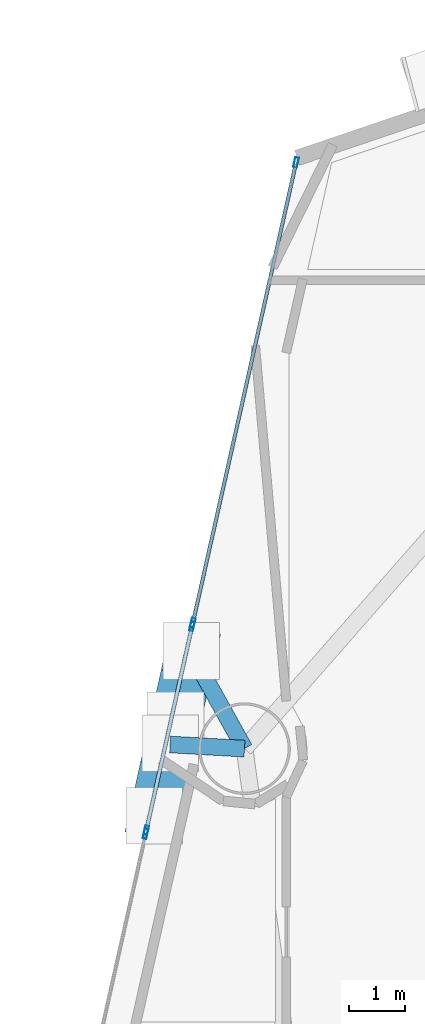
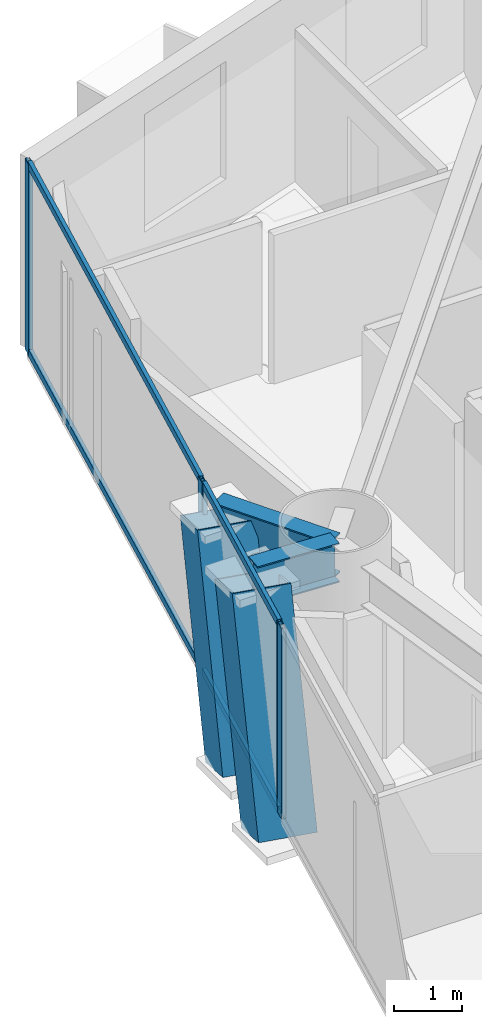
# One storey, part 6 of 22: 11 members, 2 beams, 3 elements without a shape of their own.
"""IFC4 building model written with IfcOpenShell, lengths in metres."""

from ifc_helpers import new_model, si_unit, direction, frame, origin, origin_2d, place, context, subcontext, project, spatial, hollow_rectangle, i_section, extrude, material, layer, layer_set, material_profile, profile_set, type_object, element, aggregate, save


model = new_model("IFC4")

# Units and contexts
model_context = context("Model", 3, precision=1e-05, world=origin(), true_north=direction((0.0, 1.0)))
body_context = subcontext(model_context, "Body", "Model", "MODEL_VIEW")
ifc_project = project(units=[si_unit("LENGTHUNIT", "METRE"), si_unit("AREAUNIT", "SQUARE_METRE"), si_unit("VOLUMEUNIT", "CUBIC_METRE"), si_unit("PLANEANGLEUNIT", "RADIAN"), si_unit("MASSUNIT", "GRAM", prefix="KILO")], contexts=[model_context])

# Site, building, storey
site_placement = place(None, origin())
site = spatial("IfcSite", under=ifc_project, at=site_placement, CompositionType="ELEMENT")
building_placement = place(site_placement, origin())
building = spatial("IfcBuilding", under=site, at=building_placement, Name="Qianvela Tower", CompositionType="ELEMENT")
storey_placement = place(building_placement, frame((0.0, 0.0, 89.5)))
storey = spatial("IfcBuildingStorey", under=building, at=storey_placement, Name="L22", CompositionType="ELEMENT", Elevation=89.5)

# Beams
ifc_material_1 = material(Name="Steel Q355B", Category="steel")
ifc_material_profile_1 = material_profile(ifc_material_1, i_section(OverallWidth=0.300048828125, OverallDepth=0.699951171875, WebThickness=0.012939453125, FlangeThickness=0.02392578125, at=origin_2d()), Name="HN700x300x13x24")
ifc_profile_set_1 = profile_set([ifc_material_profile_1], Name="Steel Q355B")
beam_type = type_object("IfcBeamType", Name="BM-HN700-SPAND", PredefinedType="SPANDREL", material=ifc_profile_set_1)
beam_1_placement = place(storey_placement, frame((22.8291015625, 30.340087890625, 3.048095703125), z_axis=(-0.486060264115, 0.873925294089, 0.0), x_axis=(-0.873925294089, -0.486060264115, 0.0)))
element("IfcBeam", 1, at=beam_1_placement, inside=storey, type_object=beam_type, Name="L22 Mega-Brace Column Tie Bracket F2-1", PredefinedType="SPANDREL", context=body_context, shape_type="SweptSolid", body=[
    extrude(i_section(OverallWidth=0.300048828125, OverallDepth=0.699951171875, WebThickness=0.012939453125, FlangeThickness=0.02392578125, at=origin_2d()), origin(), (0.0, 0.0, 1.0), 1.986572265625),
])
beam_2_placement = place(storey_placement, frame((22.8291015625, 30.340087890625, 3.048095703125), z_axis=(-0.998455304462, 0.055560822452, 0.0), x_axis=(-0.055560822452, -0.998455304462, 0.0)))
element("IfcBeam", 2, at=beam_2_placement, inside=storey, type_object=beam_type, Name="L22 Mega-Brace Column Tie Bracket F2-2", PredefinedType="SPANDREL", context=body_context, shape_type="SweptSolid", body=[
    extrude(i_section(OverallWidth=0.300048828125, OverallDepth=0.699951171875, WebThickness=0.012939453125, FlangeThickness=0.02392578125, at=origin_2d()), origin(), (0.0, 0.0, 1.0), 1.340087890625),
])

# Curtain wall, members
ifc_material_2 = material(Name="Anodised Architectural Aluminium and Insulated Spandrel Panel", Category="aluminium")
ifc_layer_1 = layer(ifc_material_2, 0.179931640625)
ifc_layer_set_1 = layer_set([ifc_layer_1], Name="Anodised Architectural Aluminium and Insulated Spandrel Panel")
curtain_wall_type_1 = type_object("IfcCurtainWallType", Name="CW-BRACEBAY", PredefinedType="USERDEFINED", material=ifc_layer_set_1)
curtain_wall_1_placement = place(storey_placement, origin())
curtain_wall_1 = element("IfcCurtainWall", 3, at=curtain_wall_1_placement, inside=storey, type_object=curtain_wall_type_1, Name="L22 CW-BRACEBAY Curtain Wall 04B", ObjectType="CURTAIN_WALL_SYSTEM", PredefinedType="USERDEFINED")
ifc_material_3 = material(Name="Anodised Architectural Aluminium 6063-T6", Category="aluminium")
ifc_material_profile_2 = material_profile(ifc_material_3, hollow_rectangle(XDim=0.06494140625, YDim=0.159912109375, WallThickness=0.0048828125, at=origin_2d()), Name="ALU-MULL-65x160")
ifc_profile_set_2 = profile_set([ifc_material_profile_2], Name="Anodised Architectural Aluminium 6063-T6")
member_type_1 = type_object("IfcMemberType", Name="CW-BRACEBAY-MULL", PredefinedType="MULLION", material=ifc_profile_set_2)
member_1_placement = place(storey_placement, frame((21.88525390625, 32.5380859375, 0.0), z_axis=(0.0, 0.0, 1.0), x_axis=(0.975764526134, -0.218823192416, 0.0)))
member_1 = element("IfcMember", 4, at=member_1_placement, type_object=member_type_1, Name="CW-9 mullion 1", PredefinedType="MULLION", context=body_context, shape_type="SweptSolid", body=[
    extrude(hollow_rectangle(XDim=0.06494140625, YDim=0.159912109375, WallThickness=0.0048828125, at=origin_2d()), origin(), (0.0, 0.0, 1.0), 3.39990234375),
])
member_2_placement = place(storey_placement, frame((21.0634765625, 28.874267578125, 0.0), z_axis=(0.0, 0.0, 1.0), x_axis=(0.975764526134, -0.218823192416, 0.0)))
member_2 = element("IfcMember", 5, at=member_2_placement, type_object=member_type_1, Name="CW-9 mullion 2", PredefinedType="MULLION", context=body_context, shape_type="SweptSolid", body=[
    extrude(hollow_rectangle(XDim=0.06494140625, YDim=0.159912109375, WallThickness=0.0048828125, at=origin_2d()), origin(), (0.0, 0.0, 1.0), 3.39990234375),
])
ifc_material_4 = material(Name="Anodised Architectural Aluminium 6063-T6", Category="aluminium")
ifc_material_profile_3 = material_profile(ifc_material_4, hollow_rectangle(XDim=0.06494140625, YDim=0.1298828125, WallThickness=0.00439453125, at=origin_2d()), Name="ALU-TRAN-65x130")
ifc_profile_set_3 = profile_set([ifc_material_profile_3], Name="Anodised Architectural Aluminium 6063-T6")
member_type_2 = type_object("IfcMemberType", Name="CW-BRACEBAY-TRAN", PredefinedType="USERDEFINED", material=ifc_profile_set_3)
member_3_placement = place(storey_placement, frame((21.878173828125, 32.506591796875, 0.032470703125), z_axis=(-0.218863516109, -0.97575548234, 0.0), x_axis=(0.97575548234, -0.218863516109, 0.0)))
member_3 = element("IfcMember", 6, at=member_3_placement, type_object=member_type_2, Name="CW-9 transom 1.1", ObjectType="TRANSOM", PredefinedType="USERDEFINED", context=body_context, shape_type="SweptSolid", body=[
    extrude(hollow_rectangle(XDim=0.06494140625, YDim=0.1298828125, WallThickness=0.00439453125, at=origin_2d()), origin(), (0.0, 0.0, 1.0), 3.68994140625),
])
member_4_placement = place(storey_placement, frame((21.878173828125, 32.506591796875, 3.367431640625), z_axis=(-0.218863516109, -0.97575548234, 0.0), x_axis=(0.97575548234, -0.218863516109, 0.0)))
member_4 = element("IfcMember", 7, at=member_4_placement, type_object=member_type_2, Name="CW-9 transom 1.2", ObjectType="TRANSOM", PredefinedType="USERDEFINED", context=body_context, shape_type="SweptSolid", body=[
    extrude(hollow_rectangle(XDim=0.06494140625, YDim=0.1298828125, WallThickness=0.00439453125, at=origin_2d()), origin(), (0.0, 0.0, 1.0), 3.68994140625),
])
aggregate(curtain_wall_1, [member_1, member_2, member_3, member_4])

ifc_material_5 = material(Name="Anodised Architectural Aluminium and Low-E Glass", Category="aluminium")
ifc_layer_2 = layer(ifc_material_5, 0.179931640625)
ifc_layer_set_2 = layer_set([ifc_layer_2], Name="Anodised Architectural Aluminium and Low-E Glass")
curtain_wall_type_2 = type_object("IfcCurtainWallType", Name="CW-COLIV-Z12", PredefinedType="USERDEFINED", material=ifc_layer_set_2)
curtain_wall_2_placement = place(storey_placement, origin())
curtain_wall_2 = element("IfcCurtainWall", 8, at=curtain_wall_2_placement, inside=storey, type_object=curtain_wall_type_2, Name="L22 CW-COLIV-Z12 Curtain Wall 04A", ObjectType="CURTAIN_WALL_SYSTEM", PredefinedType="USERDEFINED")
ifc_material_6 = material(Name="Anodised Architectural Aluminium 6063-T6", Category="aluminium")
ifc_material_profile_4 = material_profile(ifc_material_6, hollow_rectangle(XDim=0.070068359375, YDim=0.179931640625, WallThickness=0.0048828125, at=origin_2d()), Name="ALU-MULL-70x180")
ifc_profile_set_4 = profile_set([ifc_material_profile_4], Name="Anodised Architectural Aluminium 6063-T6")
member_type_3 = type_object("IfcMemberType", Name="CW-COLIV-Z12-MULL", PredefinedType="MULLION", material=ifc_profile_set_4)
member_5_placement = place(storey_placement, frame((23.7578125, 40.88818359375, 0.0), z_axis=(0.0, 0.0, 1.0), x_axis=(0.975762445329, -0.218832470822, 0.0)))
member_5 = element("IfcMember", 9, at=member_5_placement, type_object=member_type_3, Name="CW-3 mullion 1", PredefinedType="MULLION", context=body_context, shape_type="SweptSolid", body=[
    extrude(hollow_rectangle(XDim=0.070068359375, YDim=0.179931640625, WallThickness=0.0048828125, at=origin_2d()), origin(), (0.0, 0.0, 1.0), 3.39990234375),
])
member_6_placement = place(storey_placement, frame((21.89990234375, 32.60400390625, 0.0), z_axis=(0.0, 0.0, 1.0), x_axis=(0.975762445329, -0.218832470822, 0.0)))
member_6 = element("IfcMember", 10, at=member_6_placement, type_object=member_type_3, Name="CW-3 mullion 2", PredefinedType="MULLION", context=body_context, shape_type="SweptSolid", body=[
    extrude(hollow_rectangle(XDim=0.070068359375, YDim=0.179931640625, WallThickness=0.0048828125, at=origin_2d()), origin(), (0.0, 0.0, 1.0), 3.39990234375),
])

# Curtain wall, member
curtain_wall_3_placement = place(storey_placement, origin())
curtain_wall_3 = element("IfcCurtainWall", 11, at=curtain_wall_3_placement, inside=storey, type_object=curtain_wall_type_2, Name="L22 CW-COLIV-Z12 Curtain Wall 04C", ObjectType="CURTAIN_WALL_SYSTEM", PredefinedType="USERDEFINED")
member_7_placement = place(storey_placement, frame((21.048828125, 28.808349609375, 0.0), z_axis=(0.0, 0.0, 1.0), x_axis=(0.975762891831, -0.218830479881, 0.0)))
member_7 = element("IfcMember", 12, at=member_7_placement, type_object=member_type_3, Name="CW-3 mullion 1", PredefinedType="MULLION", context=body_context, shape_type="SweptSolid", body=[
    extrude(hollow_rectangle(XDim=0.070068359375, YDim=0.179931640625, WallThickness=0.0048828125, at=origin_2d()), origin(), (0.0, 0.0, 1.0), 3.39990234375),
])
aggregate(curtain_wall_3, [member_7])

# Member
ifc_material_7 = material(Name="Anodised Architectural Aluminium 6063-T6", Category="aluminium")
ifc_material_profile_5 = material_profile(ifc_material_7, hollow_rectangle(XDim=0.06494140625, YDim=0.1298828125, WallThickness=0.00439453125, at=origin_2d()), Name="ALU-TRAN-65x130")
ifc_profile_set_5 = profile_set([ifc_material_profile_5], Name="Anodised Architectural Aluminium 6063-T6")
member_type_4 = type_object("IfcMemberType", Name="CW-COLIV-Z12-TRAN", PredefinedType="USERDEFINED", material=ifc_profile_set_5)
member_8_placement = place(storey_placement, frame((23.750244140625, 40.85400390625, 0.032470703125), z_axis=(-0.218830458257, -0.975762896681, 0.0), x_axis=(0.975762896681, -0.218830458257, 0.0)))
member_8 = element("IfcMember", 13, at=member_8_placement, type_object=member_type_4, Name="CW-3 transom 1.1", ObjectType="TRANSOM", PredefinedType="USERDEFINED", context=body_context, shape_type="SweptSolid", body=[
    extrude(hollow_rectangle(XDim=0.06494140625, YDim=0.1298828125, WallThickness=0.00439453125, at=origin_2d()), origin(), (0.0, 0.0, 1.0), 8.419921875),
])

member_9_placement = place(storey_placement, frame((23.750244140625, 40.85400390625, 3.367431640625), z_axis=(-0.218830458257, -0.975762896681, 0.0), x_axis=(0.975762896681, -0.218830458257, 0.0)))
member_9 = element("IfcMember", 14, at=member_9_placement, type_object=member_type_4, Name="CW-3 transom 1.2", ObjectType="TRANSOM", PredefinedType="USERDEFINED", context=body_context, shape_type="SweptSolid", body=[
    extrude(hollow_rectangle(XDim=0.06494140625, YDim=0.1298828125, WallThickness=0.00439453125, at=origin_2d()), origin(), (0.0, 0.0, 1.0), 8.419921875),
])

aggregate(curtain_wall_2, [member_5, member_6, member_8, member_9])

# Members
ifc_material_8 = material(Name="Steel Q420GJC", Category="steel")
ifc_material_profile_6 = material_profile(ifc_material_8, hollow_rectangle(XDim=0.89990234375, YDim=0.89990234375, WallThickness=0.035888671875, at=origin_2d()), Name="MBOX-900x900x36")
ifc_profile_set_6 = profile_set([ifc_material_profile_6], Name="Steel Q420GJC")
member_type_5 = type_object("IfcMemberType", Name="MBR-MBRACE-900", PredefinedType="BRACE", material=ifc_profile_set_6)
member_10_placement = place(storey_placement, frame((21.59228515625, 30.8662109375, -0.531982421875), z_axis=(0.071591181498, 0.319357241679, 0.944926269568), x_axis=(-0.975782331765, 0.218743779377, 0.0)))
element("IfcMember", 15, at=member_10_placement, inside=storey, type_object=member_type_5, Name="L22 Tier 3 Exterior Mega-Brace F2A", PredefinedType="BRACE", context=body_context, shape_type="SweptSolid", body=[
    extrude(hollow_rectangle(XDim=0.89990234375, YDim=0.89990234375, WallThickness=0.035888671875, at=origin_2d()), origin(), (0.0, 0.0, 1.0), 3.788818359375),
])
member_11_placement = place(storey_placement, frame((21.208740234375, 29.15625, -0.531982421875), z_axis=(0.074167667978, 0.330674879551, 0.940825850549), x_axis=(-0.975757521929, 0.218854422846, 0.0)))
element("IfcMember", 16, at=member_11_placement, inside=storey, type_object=member_type_5, Name="L22 Tier 3 Exterior Mega-Brace F2B", PredefinedType="BRACE", context=body_context, shape_type="SweptSolid", body=[
    extrude(hollow_rectangle(XDim=0.89990234375, YDim=0.89990234375, WallThickness=0.035888671875, at=origin_2d()), origin(), (0.0, 0.0, 1.0), 3.80517578125),
])

save(model, "model.ifc")
